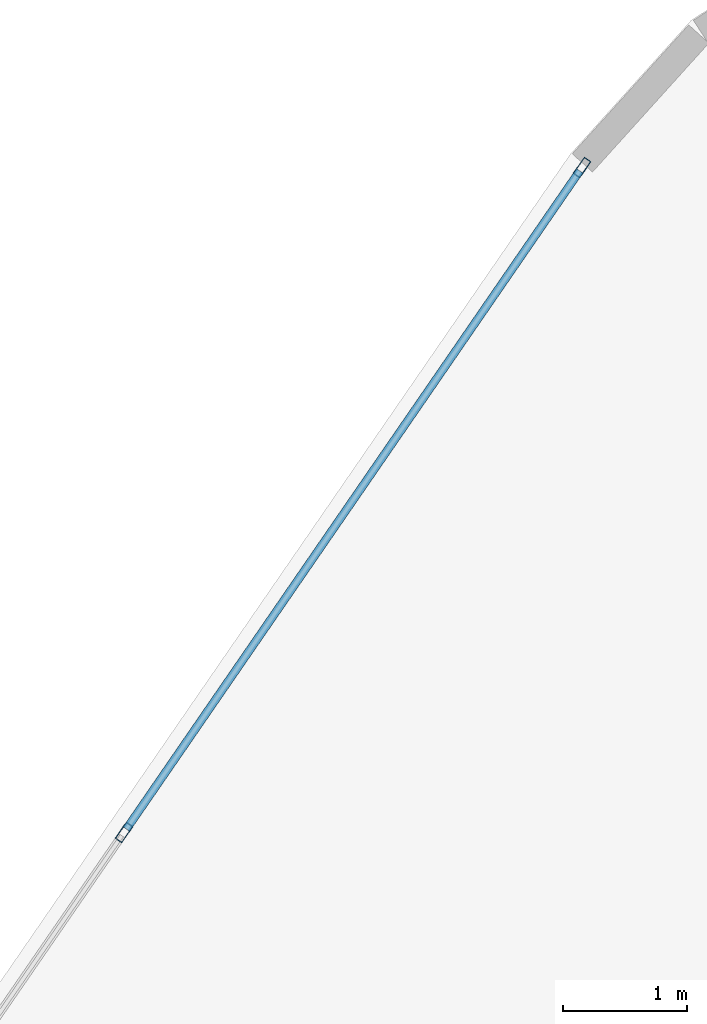
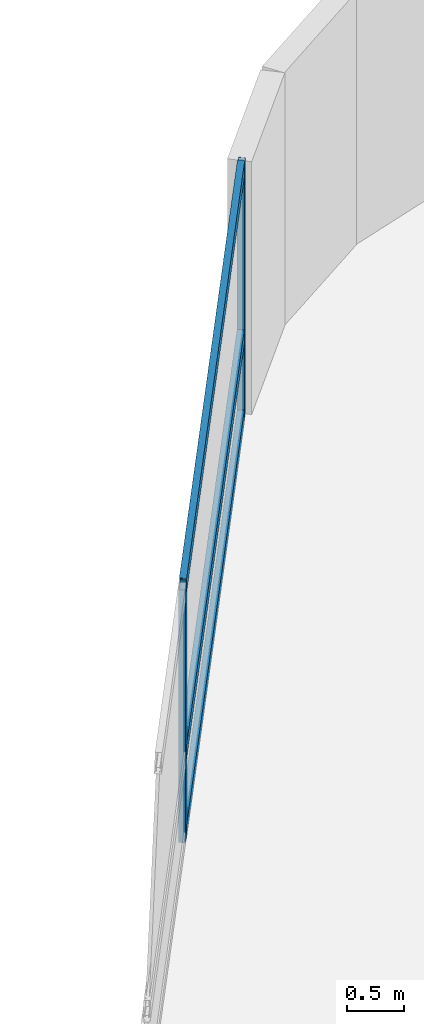
# One storey, part 15 of 24: 5 members, 1 element without a shape of its own.
"""IFC4 building model written with IfcOpenShell, lengths in metres."""

import ifcopenshell
import ifcopenshell.guid

model = None  # the IFC model being written
_history = None  # IfcOwnerHistory: only IFC2X3 demands one
_inside = {}  # id of a spatial element -> (the spatial element, [elements in it])
_under = {}  # id of a project, library or spatial element -> (it, [spatial elements below it])
_declared = {}  # id of a project -> (the project, [libraries it declares])
_typed = {}  # id of a type object -> (the type object, [elements of that type])
_made_of = {}  # id of a material, layer set ... -> (it, [elements and type objects made of it])


def new_model(schema):
    """Start an empty IFC model of exactly this schema.

    Asked for "IFC4X3", IfcOpenShell would pick the latest addendum, in which some entities
    have other attributes; the version numbers below select the first issue.
    IFC2X3 requires an IfcOwnerHistory on every rooted entity: one is made here for all.
    """
    global model, _history
    if schema == "IFC4X3":
        model = ifcopenshell.file(schema_version=(4, 3, 0, 0))
    else:
        model = ifcopenshell.file(schema=schema)
    _inside.clear()
    _under.clear()
    _declared.clear()
    _typed.clear()
    _made_of.clear()
    _history = None
    if model.schema == "IFC2X3":
        org = make("IfcOrganization", Name="unknown")
        user = make(
            "IfcPersonAndOrganization",
            ThePerson=make("IfcPerson", FamilyName="unknown"),
            TheOrganization=org,
        )
        app = make(
            "IfcApplication",
            ApplicationDeveloper=org,
            Version="unknown",
            ApplicationFullName="unknown",
            ApplicationIdentifier="unknown",
        )
        _history = make(
            "IfcOwnerHistory",
            OwningUser=user,
            OwningApplication=app,
            ChangeAction="ADDED",
            CreationDate=0,
        )
    return model


def make(cls, **values):
    """One entity of the class cls with the attributes given. An attribute that is None is left unset."""
    return model.create_entity(
        cls, **{name: value for name, value in values.items() if value is not None}
    )


def rooted(cls, **values):
    """An entity with a GlobalId (a new one), such as an element, a storey or a relation."""
    return make(cls, GlobalId=ifcopenshell.guid.new(), OwnerHistory=_history, **values)


def si_unit(unit_type, name, prefix=None):
    """IfcSIUnit, for example si_unit("LENGTHUNIT", "METRE", prefix="MILLI")."""
    return make("IfcSIUnit", UnitType=unit_type, Prefix=prefix, Name=name)


def assignment(units):
    """IfcUnitAssignment: the units of a project."""
    return None if units is None else make("IfcUnitAssignment", Units=units)


def point(xyz):
    """IfcCartesianPoint."""
    return None if xyz is None else make("IfcCartesianPoint", Coordinates=xyz)


def direction(xyz):
    """IfcDirection."""
    return None if xyz is None else make("IfcDirection", DirectionRatios=xyz)


def frame(location, z_axis=None, x_axis=None):
    """IfcAxis2Placement3D, a coordinate frame: its origin and axes. An axis left out is left unset."""
    return make(
        "IfcAxis2Placement3D",
        Location=point(location),
        Axis=direction(z_axis),
        RefDirection=direction(x_axis),
    )


def frame_2d(location, x_axis=None):
    """IfcAxis2Placement2D, a coordinate frame in the plane: its origin and x axis."""
    return make(
        "IfcAxis2Placement2D", Location=point(location), RefDirection=direction(x_axis)
    )


def origin():
    """The frame at (0, 0, 0) with its axes left unset."""
    return frame((0.0, 0.0, 0.0))


def origin_2d():
    """The frame at (0, 0) in the plane with its x axis left unset."""
    return frame_2d((0.0, 0.0))


def place(relative_to, where):
    """IfcLocalPlacement: puts the frame where relative to a parent placement (None: the world)."""
    return make(
        "IfcLocalPlacement", PlacementRelTo=relative_to, RelativePlacement=where
    )


def context(
    kind, dimensions, precision=None, world=None, true_north=None, identifier=None
):
    """IfcGeometricRepresentationContext, for example the 3D "Model" context."""
    return make(
        "IfcGeometricRepresentationContext",
        ContextIdentifier=identifier,
        ContextType=kind,
        CoordinateSpaceDimension=dimensions,
        Precision=precision,
        WorldCoordinateSystem=world,
        TrueNorth=true_north,
    )


def subcontext(parent, identifier, kind, view, scale=None):
    """IfcGeometricRepresentationSubContext, for example "Body" below "Model"."""
    return make(
        "IfcGeometricRepresentationSubContext",
        ContextIdentifier=identifier,
        ContextType=kind,
        ParentContext=parent,
        TargetScale=scale,
        TargetView=view,
    )


def project(units=None, contexts=None):
    """IfcProject with its units and contexts."""
    return rooted(
        "IfcProject",
        Name="project",
        RepresentationContexts=contexts,
        UnitsInContext=assignment(units),
    )


def spatial(cls, under=None, at=None, **own):
    """A site, building, storey or space (cls), placed at a placement, below another one or the project."""
    s = rooted(cls, ObjectPlacement=at, **own)
    if under is not None:
        _under.setdefault(under.id(), (under, []))[1].append(s)
    return s


def profile(cls, at=None, kind="AREA", **sizes):
    """A parametric profile (cls). Its sizes go by their IFC names, for example OverallWidth=200.0."""
    return make(cls, ProfileType=kind, Position=at, **sizes)


def hollow_rectangle(**sizes):
    """IfcRectangleHollowProfileDef."""
    return profile("IfcRectangleHollowProfileDef", **sizes)


def extrude(swept, where, along, depth):
    """IfcExtrudedAreaSolid: the profile swept, set in the frame where, extruded along a direction by depth."""
    return make(
        "IfcExtrudedAreaSolid",
        SweptArea=swept,
        Position=where,
        ExtrudedDirection=direction(along),
        Depth=depth,
    )


def shape(context_of_items, identifier, shape_type, items):
    """IfcShapeRepresentation: the items that make up one representation, for example the "Body"."""
    return make(
        "IfcShapeRepresentation",
        ContextOfItems=context_of_items,
        RepresentationIdentifier=identifier,
        RepresentationType=shape_type,
        Items=items,
    )


def material(Name=None, Category=None):
    """IfcMaterial."""
    return make("IfcMaterial", Name=Name, Category=Category)


def layer(
    of_material, thickness, ventilated=None, Name=None, Category=None, Priority=None
):
    """IfcMaterialLayer: one layer of a wall or slab, of a material (None: an air gap)."""
    return make(
        "IfcMaterialLayer",
        Material=of_material,
        LayerThickness=thickness,
        IsVentilated=ventilated,
        Name=Name,
        Category=Category,
        Priority=Priority,
    )


def layer_set(layers, Name=None):
    """IfcMaterialLayerSet."""
    return make("IfcMaterialLayerSet", MaterialLayers=layers, LayerSetName=Name)


def material_profile(
    of_material, cross_section, Name=None, Category=None, Priority=None
):
    """IfcMaterialProfile: a cross section and its material."""
    return make(
        "IfcMaterialProfile",
        Name=Name,
        Material=of_material,
        Profile=cross_section,
        Priority=Priority,
        Category=Category,
    )


def profile_set(profiles, Name=None, composite=None):
    """IfcMaterialProfileSet."""
    return make(
        "IfcMaterialProfileSet",
        Name=Name,
        MaterialProfiles=profiles,
        CompositeProfile=composite,
    )


def made_of(thing, what):
    """Note that an element or type object is made of a material, layer set ...; save() writes the relation."""
    if what is not None:
        _made_of.setdefault(what.id(), (what, []))[1].append(thing)
    return thing


def type_object(cls, material=None, **own):
    """A type object (cls), such as IfcWallType, which elements share."""
    return made_of(rooted(cls, **own), material)


def element(
    cls,
    number,
    at=None,
    inside=None,
    cuts=None,
    type_object=None,
    material=None,
    context=None,
    identifier="Body",
    shape_type=None,
    held_by="IfcProductDefinitionShape",
    body=None,
    shapes=None,
    **own,
):
    """One element of the class cls, such as IfcWall. Its Tag is "e" and its number.

    at: its placement. inside: the storey or other place that contains it. cuts: it is an
    opening in that element (IfcRelVoidsElement). A single representation is given by context,
    identifier, shape_type and body (its items); several are given by shapes. held_by: the class
    of the entity that holds the representations. save() writes the other relations.
    """
    e = rooted(cls, Tag="e%d" % number, ObjectPlacement=at, **own)
    if body is not None:
        shapes = [shape(context, identifier, shape_type, body)]
    if shapes is not None:
        e.Representation = make(held_by, Representations=shapes)
    if inside is not None:
        _inside.setdefault(inside.id(), (inside, []))[1].append(e)
    if cuts is not None:
        rooted(
            "IfcRelVoidsElement", RelatingBuildingElement=cuts, RelatedOpeningElement=e
        )
    if type_object is not None:
        _typed.setdefault(type_object.id(), (type_object, []))[1].append(e)
    return made_of(e, material)


def aggregate(whole, parts):
    """IfcRelAggregates: a whole, such as a stair, and the parts it consists of."""
    return rooted("IfcRelAggregates", RelatingObject=whole, RelatedObjects=parts)


def save(model, path):
    """Write the relations noted so far, then the file.

    IfcRelAggregates (storeys below a building ...), IfcRelContainedInSpatialStructure (elements
    in a storey), IfcRelDefinesByType, IfcRelAssociatesMaterial and IfcRelDeclares: one each for
    every whole, place, type object, material and project.
    """
    for whole, parts in _under.values():
        aggregate(whole, parts)
    for where, things in _inside.values():
        rooted(
            "IfcRelContainedInSpatialStructure",
            RelatedElements=things,
            RelatingStructure=where,
        )
    for kind, things in _typed.values():
        rooted("IfcRelDefinesByType", RelatedObjects=things, RelatingType=kind)
    for what, things in _made_of.values():
        rooted("IfcRelAssociatesMaterial", RelatedObjects=things, RelatingMaterial=what)
    for by, libraries in _declared.values():
        rooted("IfcRelDeclares", RelatingContext=by, RelatedDefinitions=libraries)
    model.write(path)


model = new_model("IFC4")

# Units and contexts
model_context = context("Model", 3, precision=1e-05, world=origin(), true_north=direction((0.0, 1.0)))
body_context = subcontext(model_context, "Body", "Model", "MODEL_VIEW")
ifc_project = project(units=[si_unit("LENGTHUNIT", "METRE"), si_unit("AREAUNIT", "SQUARE_METRE"), si_unit("VOLUMEUNIT", "CUBIC_METRE"), si_unit("PLANEANGLEUNIT", "RADIAN"), si_unit("MASSUNIT", "GRAM", prefix="KILO")], contexts=[model_context])

# Site, building, storey
site_placement = place(None, origin())
site = spatial("IfcSite", under=ifc_project, at=site_placement, CompositionType="ELEMENT")
building_placement = place(site_placement, origin())
building = spatial("IfcBuilding", under=site, at=building_placement, Name="Varnelok Gate Tower", CompositionType="ELEMENT")
storey_placement = place(building_placement, frame((0.0, 0.0, 38.10009765625)))
storey = spatial("IfcBuildingStorey", under=building, at=storey_placement, Name="L08", CompositionType="ELEMENT", Elevation=38.10009765625)

# Curtain wall, members
ifc_material = material(Name="Anodized Aluminum Alloy 6063-T6", Category="aluminium")
ifc_layer = layer(ifc_material, 0.179931640625)
ifc_layer_set = layer_set([ifc_layer], Name="Anodized Aluminum Alloy 6063-T6")
curtain_wall_type = type_object("IfcCurtainWallType", Name="CW3-HOTEL-VISION", PredefinedType="USERDEFINED", material=ifc_layer_set)
curtain_wall_placement = place(storey_placement, origin())
curtain_wall = element("IfcCurtainWall", 1, at=curtain_wall_placement, inside=storey, type_object=curtain_wall_type, Name="L08 West End Vision Curtain Wall", ObjectType="UNITISED CURTAIN WALL", PredefinedType="USERDEFINED")
ifc_material_profile_1 = material_profile(ifc_material, hollow_rectangle(XDim=0.06494140625, YDim=0.159912109375, WallThickness=0.00390625, at=origin_2d()), Name="ALU160X65X4")
ifc_profile_set_1 = profile_set([ifc_material_profile_1], Name="Anodized Aluminum Alloy 6063-T6")
member_type_1 = type_object("IfcMemberType", Name="CW-MULL-160", PredefinedType="MULLION", material=ifc_profile_set_1)
member_1_placement = place(storey_placement, frame((14.48291015625, 58.273193359375, 0.0), z_axis=(0.0, 0.0, 1.0), x_axis=(-0.823532685111, 0.567268822124, 0.0)))
member_1 = element("IfcMember", 2, at=member_1_placement, type_object=member_type_1, Name="CW3 mullion 6", PredefinedType="MULLION", context=body_context, shape_type="SweptSolid", body=[
    extrude(hollow_rectangle(XDim=0.06494140625, YDim=0.159912109375, WallThickness=0.00390625, at=origin_2d()), origin(), (0.0, 0.0, 1.0), 2.72998046875),
])
member_2_placement = place(storey_placement, frame((18.189453125, 63.654296875, 0.0), z_axis=(0.0, 0.0, 1.0), x_axis=(-0.823532685111, 0.567268822124, 0.0)))
member_2 = element("IfcMember", 3, at=member_2_placement, type_object=member_type_1, Name="CW3 mullion 7", PredefinedType="MULLION", context=body_context, shape_type="SweptSolid", body=[
    extrude(hollow_rectangle(XDim=0.06494140625, YDim=0.159912109375, WallThickness=0.00390625, at=origin_2d()), origin(), (0.0, 0.0, 1.0), 2.72998046875),
])
ifc_material_profile_2 = material_profile(ifc_material, hollow_rectangle(XDim=0.06494140625, YDim=0.159912109375, WallThickness=0.00390625, at=origin_2d()), Name="ALU160X65X4")
ifc_profile_set_2 = profile_set([ifc_material_profile_2], Name="Anodized Aluminum Alloy 6063-T6")
member_type_2 = type_object("IfcMemberType", Name="CW-TRAN-160", PredefinedType="USERDEFINED", material=ifc_profile_set_2)
member_3_placement = place(storey_placement, frame((14.50146484375, 58.300048828125, 0.032470703125), z_axis=(0.567255754851, 0.823541686006, 0.0), x_axis=(-0.823541686006, 0.567255754851, 0.0)))
member_3 = element("IfcMember", 4, at=member_3_placement, type_object=member_type_2, Name="CW3 transom 6.1", ObjectType="TRANSOM", PredefinedType="USERDEFINED", context=body_context, shape_type="SweptSolid", body=[
    extrude(hollow_rectangle(XDim=0.06494140625, YDim=0.159912109375, WallThickness=0.00390625, at=origin_2d()), origin(), (0.0, 0.0, 1.0), 6.46923828125),
])
member_4_placement = place(storey_placement, frame((14.50146484375, 58.300048828125, 0.89990234375), z_axis=(0.567255754851, 0.823541686006, 0.0), x_axis=(-0.823541686006, 0.567255754851, 0.0)))
member_4 = element("IfcMember", 5, at=member_4_placement, type_object=member_type_2, Name="CW3 transom 6.2", ObjectType="TRANSOM", PredefinedType="USERDEFINED", context=body_context, shape_type="SweptSolid", body=[
    extrude(hollow_rectangle(XDim=0.06494140625, YDim=0.159912109375, WallThickness=0.00390625, at=origin_2d()), origin(), (0.0, 0.0, 1.0), 6.46923828125),
])
member_5_placement = place(storey_placement, frame((14.50146484375, 58.300048828125, 2.697509765625), z_axis=(0.567255754851, 0.823541686006, 0.0), x_axis=(-0.823541686006, 0.567255754851, 0.0)))
member_5 = element("IfcMember", 6, at=member_5_placement, type_object=member_type_2, Name="CW3 transom 6.3", ObjectType="TRANSOM", PredefinedType="USERDEFINED", context=body_context, shape_type="SweptSolid", body=[
    extrude(hollow_rectangle(XDim=0.06494140625, YDim=0.159912109375, WallThickness=0.00390625, at=origin_2d()), origin(), (0.0, 0.0, 1.0), 6.46923828125),
])
aggregate(curtain_wall, [member_1, member_2, member_3, member_4, member_5])

save(model, "model.ifc")
